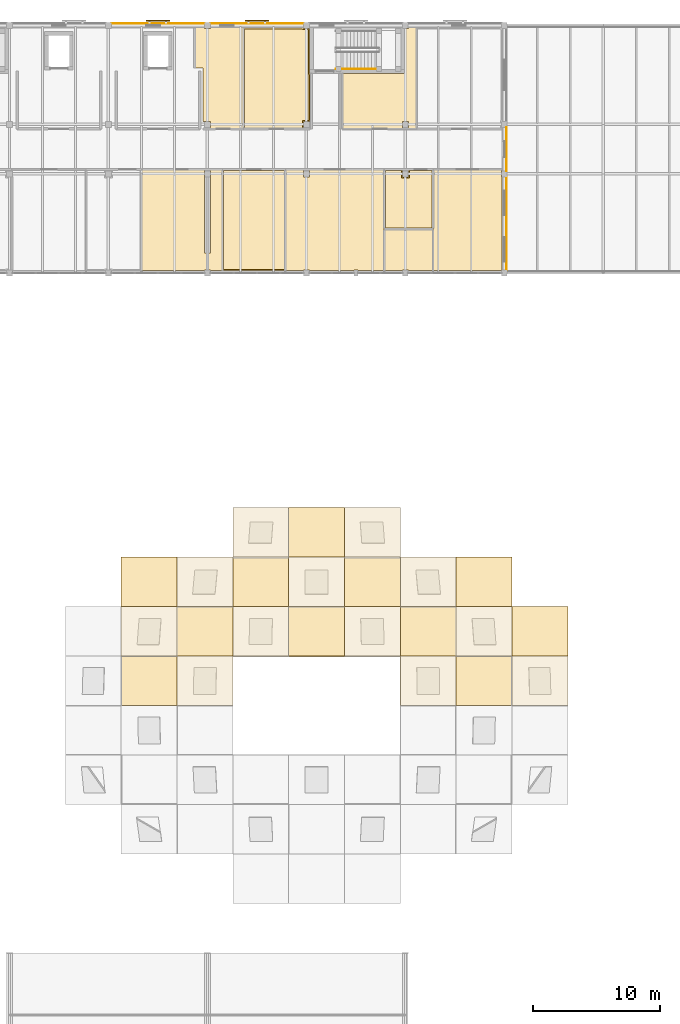
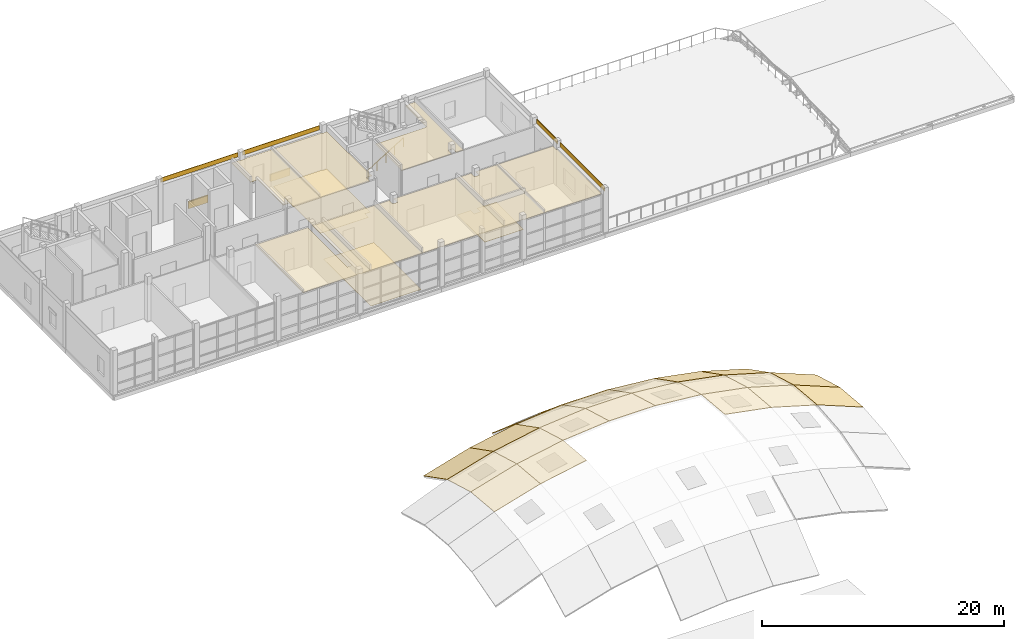
# One storey, part 43 of 45: 38 coverings, 2 shading devices, 1 railing.
"""IFC4 building model written with IfcOpenShell, lengths in metres."""

from ifc_helpers import new_model, si_unit, direction, frame, origin, origin_2d, place, context, subcontext, project, spatial, polyline, rectangle, circle, outline, extrude, material, layer, layer_set, type_object, element, save


model = new_model("IFC4")

# Units and contexts
model_context = context("Model", 3, precision=1e-05, world=origin(), true_north=direction((0.0, 1.0)))
body_context = subcontext(model_context, "Body", "Model", "MODEL_VIEW")
ifc_project = project(units=[si_unit("LENGTHUNIT", "METRE"), si_unit("AREAUNIT", "SQUARE_METRE"), si_unit("VOLUMEUNIT", "CUBIC_METRE"), si_unit("PLANEANGLEUNIT", "RADIAN"), si_unit("MASSUNIT", "GRAM", prefix="KILO")], contexts=[model_context])

# Site, building, storey
site_placement = place(None, origin())
site = spatial("IfcSite", under=ifc_project, at=site_placement, CompositionType="ELEMENT")
building_placement = place(site_placement, origin())
building = spatial("IfcBuilding", under=site, at=building_placement, Name="Celorna Specialist Clinic", CompositionType="ELEMENT")
storey_placement = place(building_placement, frame((0.0, 0.0, 18.60009765625)))
storey = spatial("IfcBuildingStorey", under=building, at=storey_placement, Name="L04", CompositionType="ELEMENT", Elevation=18.60009765625)

# Coverings
ifc_material_1 = material(Name="Hygienic acoustic mineral-fibre ceiling")
ifc_layer_1 = layer(ifc_material_1, 0.030029296875, Name="Hygienic acoustic mineral-fibre ceiling")
ifc_layer_set_1 = layer_set([ifc_layer_1], Name="Hygienic acoustic mineral-fibre ceiling")
covering_type_1 = type_object("IfcCoveringType", Name="CE-01", PredefinedType="CEILING", material=ifc_layer_set_1)
covering_1_placement = place(storey_placement, frame((0.0, 0.0, 3.669921875)))
element("IfcCovering", 1, at=covering_1_placement, inside=storey, type_object=covering_type_1, Name="Acoustic ceiling L04-011", PredefinedType="CEILING", context=body_context, shape_type="SweptSolid", body=[
    extrude(outline(polyline([(69.97998046875, 104.6650390625), (69.97998046875, 104.530029296875), (69.969970703125, 104.530029296875), (69.969970703125, 104.235107421875), (69.965087890625, 104.235107421875), (69.965087890625, 98.06494140625), (70.43505859375, 98.06494140625), (70.43505859375, 104.235107421875), (70.429931640625, 104.235107421875), (70.429931640625, 104.530029296875), (70.419921875, 104.530029296875), (70.419921875, 104.6650390625), (71.405029296875, 104.6650390625), (71.405029296875, 96.675048828125), (70.429931640625, 96.675048828125), (70.429931640625, 96.72998046875), (69.969970703125, 96.72998046875), (69.969970703125, 96.675048828125), (64.97509765625, 96.675048828125), (64.97509765625, 104.6650390625), (69.97998046875, 104.6650390625)])), origin(), (0.0, 0.0, 1.0), 0.030029296875),
])
covering_2_placement = place(storey_placement, frame((0.0, 0.0, 3.669921875)))
element("IfcCovering", 2, at=covering_2_placement, inside=storey, type_object=covering_type_1, Name="Acoustic ceiling L04-012", PredefinedType="CEILING", context=body_context, shape_type="SweptSolid", body=[
    extrude(outline(polyline([(76.35498046875, 104.6650390625), (76.35498046875, 96.675048828125), (71.375, 96.675048828125), (71.375, 104.6650390625), (76.35498046875, 104.6650390625)])), origin(), (0.0, 0.0, 1.0), 0.030029296875),
])
covering_3_placement = place(storey_placement, frame((0.0, 0.0, 3.669921875)))
element("IfcCovering", 3, at=covering_3_placement, inside=storey, type_object=covering_type_1, Name="Acoustic ceiling L04-013", PredefinedType="CEILING", context=body_context, shape_type="SweptSolid", body=[
    extrude(outline(polyline([(77.780029296875, 104.6650390625), (77.780029296875, 104.530029296875), (77.77001953125, 104.530029296875), (77.77001953125, 104.070068359375), (78.22998046875, 104.070068359375), (78.22998046875, 104.530029296875), (78.219970703125, 104.530029296875), (78.219970703125, 104.6650390625), (84.155029296875, 104.6650390625), (84.155029296875, 96.675048828125), (82.054931640625, 96.675048828125), (82.054931640625, 96.7451171875), (81.7451171875, 96.7451171875), (81.7451171875, 96.675048828125), (78.22998046875, 96.675048828125), (78.22998046875, 96.72998046875), (77.77001953125, 96.72998046875), (77.77001953125, 96.675048828125), (76.324951171875, 96.675048828125), (76.324951171875, 104.6650390625), (77.780029296875, 104.6650390625)])), origin(), (0.0, 0.0, 1.0), 0.030029296875),
])
covering_4_placement = place(storey_placement, frame((0.0, 0.0, 3.669921875)))
element("IfcCovering", 4, at=covering_4_placement, inside=storey, type_object=covering_type_1, Name="Acoustic ceiling L04-014", PredefinedType="CEILING", context=body_context, shape_type="SweptSolid", body=[
    extrude(outline(polyline([(85.580078125, 104.6650390625), (85.580078125, 104.530029296875), (85.570068359375, 104.530029296875), (85.570068359375, 104.070068359375), (86.030029296875, 104.070068359375), (86.030029296875, 104.530029296875), (86.02001953125, 104.530029296875), (86.02001953125, 104.6650390625), (88.0048828125, 104.6650390625), (88.0048828125, 99.93505859375), (84.125, 99.93505859375), (84.125, 104.6650390625), (85.580078125, 104.6650390625)])), origin(), (0.0, 0.0, 1.0), 0.030029296875),
])
covering_5_placement = place(storey_placement, frame((0.0, 0.0, 3.669921875)))
element("IfcCovering", 5, at=covering_5_placement, inside=storey, type_object=covering_type_1, Name="Acoustic ceiling L04-015", PredefinedType="CEILING", context=body_context, shape_type="SweptSolid", body=[
    extrude(outline(polyline([(84.125, 96.675048828125), (84.125, 99.965087890625), (87.97509765625, 99.965087890625), (87.97509765625, 104.6650390625), (93.3798828125, 104.6650390625), (93.3798828125, 104.530029296875), (93.3701171875, 104.530029296875), (93.3701171875, 104.070068359375), (93.425048828125, 104.070068359375), (93.425048828125, 96.72998046875), (93.3701171875, 96.72998046875), (93.3701171875, 96.675048828125), (86.030029296875, 96.675048828125), (86.030029296875, 96.72998046875), (85.570068359375, 96.72998046875), (85.570068359375, 96.675048828125), (84.125, 96.675048828125)])), origin(), (0.0, 0.0, 1.0), 0.030029296875),
])
covering_6_placement = place(storey_placement, frame((0.0, 0.0, 3.669921875)))
element("IfcCovering", 6, at=covering_6_placement, inside=storey, type_object=covering_type_1, Name="Acoustic ceiling L04-017", PredefinedType="CEILING", context=body_context, shape_type="SweptSolid", body=[
    extrude(outline(polyline([(73.054931640625, 115.824951171875), (73.054931640625, 107.8349609375), (70.419921875, 107.8349609375), (70.419921875, 107.969970703125), (70.429931640625, 107.969970703125), (70.429931640625, 108.429931640625), (69.969970703125, 108.429931640625), (69.969970703125, 108.419921875), (69.8349609375, 108.419921875), (69.8349609375, 112.635009765625), (69.175048828125, 112.635009765625), (69.175048828125, 115.824951171875), (69.969970703125, 115.824951171875), (69.969970703125, 115.77001953125), (70.429931640625, 115.77001953125), (70.429931640625, 115.824951171875), (73.054931640625, 115.824951171875)])), origin(), (0.0, 0.0, 1.0), 0.030029296875),
])
covering_7_placement = place(storey_placement, frame((0.0, 0.0, 3.669921875)))
element("IfcCovering", 7, at=covering_7_placement, inside=storey, type_object=covering_type_1, Name="Acoustic ceiling L04-018", PredefinedType="CEILING", context=body_context, shape_type="SweptSolid", body=[
    extrude(outline(polyline([(77.77001953125, 115.824951171875), (77.77001953125, 115.77001953125), (78.22998046875, 115.77001953125), (78.22998046875, 115.780029296875), (78.2548828125, 115.780029296875), (78.2548828125, 112.235107421875), (78.284912109375, 112.235107421875), (78.284912109375, 108.419921875), (78.22998046875, 108.419921875), (78.22998046875, 108.429931640625), (77.77001953125, 108.429931640625), (77.77001953125, 107.969970703125), (77.780029296875, 107.969970703125), (77.780029296875, 107.8349609375), (73.02490234375, 107.8349609375), (73.02490234375, 115.824951171875), (77.77001953125, 115.824951171875)])), origin(), (0.0, 0.0, 1.0), 0.030029296875),
])
covering_8_placement = place(storey_placement, frame((0.0, 0.0, 3.669921875)))
element("IfcCovering", 8, at=covering_8_placement, inside=storey, type_object=covering_type_1, Name="Acoustic ceiling L04-019", PredefinedType="CEILING", context=body_context, shape_type="SweptSolid", body=[
    extrude(outline(polyline([(80.824951171875, 107.8349609375), (80.824951171875, 112.235107421875), (85.72509765625, 112.235107421875), (85.72509765625, 115.77001953125), (86.030029296875, 115.77001953125), (86.030029296875, 115.824951171875), (86.705078125, 115.824951171875), (86.705078125, 107.8349609375), (86.02001953125, 107.8349609375), (86.02001953125, 107.969970703125), (86.030029296875, 107.969970703125), (86.030029296875, 108.429931640625), (85.570068359375, 108.429931640625), (85.570068359375, 107.969970703125), (85.580078125, 107.969970703125), (85.580078125, 107.8349609375), (80.824951171875, 107.8349609375)])), origin(), (0.0, 0.0, 1.0), 0.030029296875),
])
ifc_material_2 = material(Name="Pero Pinheiro Lioz limestone rainscreen cladding", Category="masonry")
ifc_layer_2 = layer(ifc_material_2, 0.044921875, Name="Pero Pinheiro Lioz limestone rainscreen cladding")
ifc_layer_set_2 = layer_set([ifc_layer_2], Name="Pero Pinheiro Lioz limestone rainscreen cladding")
covering_type_2 = type_object("IfcCoveringType", Name="CL-01", PredefinedType="CLADDING", material=ifc_layer_set_2)
for number, where, z_axis, x_axis, name in (
    (9, (66.300048828125, 116.16748046875, 3.81982421875), (0.0, 0.0, 1.0), (1.0, 0.0, 0.0), "Lioz spandrel cladding #276"),
    (10, (74.10009765625, 116.16748046875, 3.81982421875), (0.0, 0.0, 1.0), (1.0, 0.0, 0.0), "Lioz spandrel cladding #277"),
    (11, (93.767578125, 100.39990234375, 3.81982421875), (0.0, 0.0, 1.0), (0.0, -1.0, 0.0), "Lioz spandrel cladding #283"),
):
    element("IfcCovering", number, at=place(storey_placement, frame(where, z_axis=z_axis, x_axis=x_axis)), inside=storey, type_object=covering_type_2, Name=name, PredefinedType="CLADDING", context=body_context, shape_type="SweptSolid", body=[
        extrude(rectangle(XDim=7.35009765625, YDim=0.044921875, at=origin_2d()), origin(), (0.0, 0.0, 1.0), 0.43994140625),
    ])
covering_9_placement = place(storey_placement, frame((93.767578125, 106.25, 3.81982421875), z_axis=(0.0, 0.0, 1.0), x_axis=(0.0, -1.0, 0.0)))
element("IfcCovering", 12, at=covering_9_placement, inside=storey, type_object=covering_type_2, Name="Lioz spandrel cladding #284", PredefinedType="CLADDING", context=body_context, shape_type="SweptSolid", body=[
    extrude(rectangle(XDim=3.449951171875, YDim=0.044921875, at=origin_2d()), origin(), (0.0, 0.0, 1.0), 0.43994140625),
])
ifc_material_3 = material(Name="Seamless antimicrobial clinical vinyl and Lioz terrazzo flooring")
ifc_layer_3 = layer(ifc_material_3, 0.02001953125, Name="Seamless antimicrobial clinical vinyl and Lioz terrazzo flooring")
ifc_layer_set_3 = layer_set([ifc_layer_3], Name="Seamless antimicrobial clinical vinyl and Lioz terrazzo flooring")
covering_type_3 = type_object("IfcCoveringType", Name="FL-01", PredefinedType="FLOORING", material=ifc_layer_set_3)
covering_10_placement = place(storey_placement, origin())
element("IfcCovering", 13, at=covering_10_placement, inside=storey, type_object=covering_type_3, Name="Antimicrobial clinical flooring L04-012", PredefinedType="FLOORING", context=body_context, shape_type="SweptSolid", body=[
    extrude(outline(polyline([(71.465087890625, 104.574951171875), (76.264892578125, 104.574951171875), (76.264892578125, 96.764892578125), (71.465087890625, 96.764892578125), (71.465087890625, 104.574951171875)])), origin(), (0.0, 0.0, 1.0), 0.02001953125),
])
covering_11_placement = place(storey_placement, origin())
element("IfcCovering", 14, at=covering_11_placement, inside=storey, type_object=covering_type_3, Name="Antimicrobial clinical flooring L04-014", PredefinedType="FLOORING", context=body_context, shape_type="SweptSolid", body=[
    extrude(outline(polyline([(84.215087890625, 104.574951171875), (85.489990234375, 104.574951171875), (85.489990234375, 103.989990234375), (86.110107421875, 103.989990234375), (86.110107421875, 104.574951171875), (87.9150390625, 104.574951171875), (87.9150390625, 100.02490234375), (84.215087890625, 100.02490234375), (84.215087890625, 104.574951171875)])), origin(), (0.0, 0.0, 1.0), 0.02001953125),
])
covering_12_placement = place(storey_placement, origin())
element("IfcCovering", 15, at=covering_12_placement, inside=storey, type_object=covering_type_3, Name="Antimicrobial clinical flooring L04-018", PredefinedType="FLOORING", context=body_context, shape_type="SweptSolid", body=[
    extrude(outline(polyline([(73.114990234375, 115.735107421875), (77.68994140625, 115.735107421875), (77.68994140625, 115.68994140625), (78.1650390625, 115.68994140625), (78.1650390625, 112.14501953125), (78.195068359375, 112.14501953125), (78.195068359375, 108.510009765625), (77.68994140625, 108.510009765625), (77.68994140625, 107.925048828125), (73.114990234375, 107.925048828125), (73.114990234375, 115.735107421875)])), origin(), (0.0, 0.0, 1.0), 0.02001953125),
])

# Railing
ifc_material_4 = material(Name="Brushed stainless steel handrail", Category="steel")
railing_type = type_object("IfcRailingType", Name="HR-01", PredefinedType="HANDRAIL", material=ifc_material_4)
railing_placement = place(storey_placement, frame((80.340087890625, 112.570068359375, 0.173095703125)))
element("IfcRailing", 16, at=railing_placement, inside=storey, type_object=railing_type, Name="L04 ST-02 stair handrail 1", PredefinedType="HANDRAIL", context=body_context, shape_type="SweptSolid", body=[
    extrude(circle(Radius=0.02392578125, at=origin_2d()), frame((0.0, 0.0, 0.8759765625), z_axis=(0.850606129759, 0.0, 0.525803396734), x_axis=(0.0, 1.0, 0.0)), (0.0, 0.0, 1.0), 3.949951171875),
    extrude(circle(Radius=0.02099609375, at=origin_2d()), origin(), (0.0, 0.0, 1.0), 0.851806640625),
    extrude(circle(Radius=0.02099609375, at=origin_2d()), frame((0.83984375, 0.0, 0.519287109375)), (0.0, 0.0, 1.0), 0.851806640625),
    extrude(circle(Radius=0.02099609375, at=origin_2d()), frame((1.679931640625, 0.0, 1.03857421875)), (0.0, 0.0, 1.0), 0.851806640625),
    extrude(circle(Radius=0.02099609375, at=origin_2d()), frame((2.52001953125, 0.0, 1.5576171875)), (0.0, 0.0, 1.0), 0.851806640625),
    extrude(circle(Radius=0.02099609375, at=origin_2d()), frame((3.35986328125, 0.0, 2.076904296875)), (0.0, 0.0, 1.0), 0.851806640625),
])

# Coverings
ifc_material_5 = material(Name="Standing-seam zinc and EPDM acoustic roofing membrane")
ifc_layer_4 = layer(ifc_material_5, 0.0400390625, Name="Standing-seam zinc and EPDM acoustic roofing membrane")
ifc_layer_set_4 = layer_set([ifc_layer_4], Name="Standing-seam zinc and EPDM acoustic roofing membrane")
covering_type_4 = type_object("IfcCoveringType", Name="RFG-01", PredefinedType="ROOFING", material=ifc_layer_set_4)
covering_13_placement = place(storey_placement, frame((63.39990234375, 62.39990234375, 2.940185546875), z_axis=(-0.27962614269, 0.087442222498, 0.956118757294), x_axis=(0.959795163548, 0.0, 0.280701343121)))
element("IfcCovering", 17, at=covering_13_placement, inside=storey, type_object=covering_type_4, Name="GSH-V1 gridshell standing-seam roofing 3-5", PredefinedType="ROOFING", context=body_context, shape_type="SweptSolid", body=[
    extrude(outline(polyline([(0.0, 0.0), (4.584464114310494, -1.3877787807814457e-17), (4.484340905741365, 3.915143076396967), (-0.10012320856912833, 3.915143076396967), (0.0, 0.0)])), origin(), (0.0, 0.0, -1.0), 0.0400390625),
])
covering_14_placement = place(storey_placement, frame((63.39990234375, 66.300048828125, 2.58349609375), z_axis=(-0.270788911902, 0.263090279222, 0.92598967066), x_axis=(0.959801840488, -6.486829e-06, 0.280678511742)))
element("IfcCovering", 18, at=covering_14_placement, inside=storey, type_object=covering_type_4, Name="GSH-V1 gridshell standing-seam roofing 3-6", PredefinedType="ROOFING", context=body_context, shape_type="SweptSolid", body=[
    extrude(outline(polyline([(0.0, 0.0), (4.584464112916971, 5.551115123125783e-17), (4.273403716091822, 4.042336657580507), (-0.3109918717978682, 4.042275008953151), (0.0, 0.0)])), origin(), (0.0, 0.0, -1.0), 0.0400390625),
])
covering_15_placement = place(storey_placement, frame((63.39990234375, 70.199951171875, 1.4755859375), z_axis=(-0.251864517352, 0.441166030101, 0.861357532494), x_axis=(0.959809509952, 0.0, 0.280652284162)))
element("IfcCovering", 19, at=covering_15_placement, inside=storey, type_object=covering_type_4, Name="GSH-V1 gridshell standing-seam roofing 3-7", PredefinedType="ROOFING", context=body_context, shape_type="SweptSolid", body=[
    extrude(outline(polyline([(0.0, 0.0), (4.584395589697743, -1.1102230246251565e-16), (4.023776207614752, 4.345927846096854), (-0.5606193820829908, 4.3459278460968545), (0.0, 0.0)])), origin(), (0.0, 0.0, -1.0), 0.0400390625),
])
covering_16_placement = place(storey_placement, frame((67.800048828125, 62.39990234375, 4.22705078125), z_axis=(-0.186321606588, 0.089480473918, 0.978405592638), x_axis=(0.982346199134, 0.0, 0.187072031707)))
element("IfcCovering", 20, at=covering_16_placement, inside=storey, type_object=covering_type_4, Name="GSH-V1 gridshell standing-seam roofing 4-5", PredefinedType="ROOFING", context=body_context, shape_type="SweptSolid", body=[
    extrude(outline(polyline([(0.0, 0.0), (4.478973245510586, 0.0), (4.412246624825951, 3.9158546351524968), (-0.06672662068463522, 3.9158546351524968), (0.0, 0.0)])), origin(), (0.0, 0.0, -1.0), 0.0400390625),
])
covering_17_placement = place(storey_placement, frame((67.800048828125, 66.300048828125, 3.870361328125), z_axis=(-0.180210975206, 0.268826659832, 0.946179809222), x_axis=(0.982341552313, 6.932304e-06, 0.187096431158)))
element("IfcCovering", 21, at=covering_17_placement, inside=storey, type_object=covering_type_4, Name="GSH-V1 gridshell standing-seam roofing 4-6", PredefinedType="ROOFING", context=body_context, shape_type="SweptSolid", body=[
    extrude(outline(polyline([(0.0, 0.0), (4.478973244021366, -2.7755575615628914e-17), (4.271714243052131, 4.048919225952219), (-0.20730467880887332, 4.048983698815403), (0.0, 0.0)])), origin(), (0.0, 0.0, -1.0), 0.0400390625),
])
covering_18_placement = place(storey_placement, frame((67.800048828125, 70.199951171875, 2.76220703125), z_axis=(-0.167159665303, 0.449447825064, 0.87752737783), x_axis=(0.982336180889, 0.0, 0.187124631506)))
element("IfcCovering", 22, at=covering_18_placement, inside=storey, type_object=covering_type_4, Name="GSH-V1 gridshell standing-seam roofing 4-7", PredefinedType="ROOFING", context=body_context, shape_type="SweptSolid", body=[
    extrude(outline(polyline([(0.0, 0.0), (4.479018923814234, 0.0), (4.105226508048076, 4.365966349499598), (-0.37379241576615824, 4.365966349499598), (0.0, 0.0)])), origin(), (0.0, 0.0, -1.0), 0.0400390625),
])
covering_19_placement = place(storey_placement, frame((72.199951171875, 66.300048828125, 4.708251953125), z_axis=(-0.090018986099, 0.272191562405, 0.958023139333), x_axis=(0.995614280317, -7.202506e-06, 0.093553218958)))
element("IfcCovering", 23, at=covering_19_placement, inside=storey, type_object=covering_type_4, Name="GSH-V1 gridshell standing-seam roofing 5-6", PredefinedType="ROOFING", context=body_context, shape_type="SweptSolid", body=[
    extrude(outline(polyline([(0.0, 0.0), (4.419539874771574, 2.7755575615628914e-17), (4.315840384124527, 4.05296072500492), (-0.10367665050569924, 4.052894563589355), (0.0, 0.0)])), origin(), (0.0, 0.0, -1.0), 0.0400390625),
])
covering_20_placement = place(storey_placement, frame((72.199951171875, 70.199951171875, 3.600341796875), z_axis=(-0.083316673046, 0.454276899023, 0.886955935211), x_axis=(0.995617043189, 0.0, 0.09352381147)))
element("IfcCovering", 24, at=covering_20_placement, inside=storey, type_object=covering_type_4, Name="GSH-V1 gridshell standing-seam roofing 5-7", PredefinedType="ROOFING", context=body_context, shape_type="SweptSolid", body=[
    extrude(outline(polyline([(0.0, 0.0), (4.419517036672728, 0.0), (4.232697743351132, 4.377954029759788), (-0.1868192933215959, 4.377954029759788), (0.0, 0.0)])), origin(), (0.0, 0.0, -1.0), 0.0400390625),
])
covering_21_placement = place(storey_placement, frame((72.199951171875, 74.10009765625, 1.602783203125), z_axis=(-0.072061583941, 0.637693264778, 0.766912268892), x_axis=(0.995615516955, 1.3508053e-05, 0.093540056749)))
element("IfcCovering", 25, at=covering_21_placement, inside=storey, type_object=covering_type_4, Name="GSH-V1 gridshell standing-seam roofing 5-8", PredefinedType="ROOFING", context=body_context, shape_type="SweptSolid", body=[
    extrude(outline(polyline([(0.0, 0.0), (4.419517035681197, -5.551115123125783e-17), (4.116249639173167, 5.0628266206283525), (-0.30329023343594746, 5.062981625091947), (0.0, 0.0)])), origin(), (0.0, 0.0, -1.0), 0.0400390625),
])
covering_22_placement = place(storey_placement, frame((76.60009765625, 66.300048828125, 5.121826171875), z_axis=(0.0, 0.273329011448, 0.961920605612), x_axis=(1.0, 0.0, 0.0)))
element("IfcCovering", 26, at=covering_22_placement, inside=storey, type_object=covering_type_4, Name="GSH-V1 gridshell standing-seam roofing 6-6", PredefinedType="ROOFING", context=body_context, shape_type="SweptSolid", body=[
    extrude(outline(polyline([(0.0, 0.0), (4.39990234375, 0.0), (4.39990234375, 4.054287142824157), (0.0, 4.054287142824157), (0.0, 0.0)])), origin(), (0.0, 0.0, -1.0), 0.0400390625),
])
covering_23_placement = place(storey_placement, frame((76.60009765625, 70.199951171875, 4.013671875), z_axis=(0.0, 0.455861875306, 0.890050532634), x_axis=(1.0, 0.0, 0.0)))
element("IfcCovering", 27, at=covering_23_placement, inside=storey, type_object=covering_type_4, Name="GSH-V1 gridshell standing-seam roofing 6-7", PredefinedType="ROOFING", context=body_context, shape_type="SweptSolid", body=[
    extrude(outline(polyline([(0.0, 0.0), (4.39990234375, 0.0), (4.39990234375, 4.381938262350024), (0.0, 4.381938262350024), (0.0, 0.0)])), origin(), (0.0, 0.0, -1.0), 0.0400390625),
])
covering_24_placement = place(storey_placement, frame((76.60009765625, 74.10009765625, 2.01611328125), z_axis=(0.0, 0.639341241338, 0.768923128228), x_axis=(1.0, 0.0, 0.0)))
element("IfcCovering", 28, at=covering_24_placement, inside=storey, type_object=covering_type_4, Name="GSH-V1 gridshell standing-seam roofing 6-8", PredefinedType="ROOFING", context=body_context, shape_type="SweptSolid", body=[
    extrude(outline(polyline([(0.0, 0.0), (4.39990234375, 0.0), (4.39990234375, 5.07190146918215), (0.0, 5.07190146918215), (0.0, 0.0)])), origin(), (0.0, 0.0, -1.0), 0.0400390625),
])
covering_25_placement = place(storey_placement, frame((81.0, 66.300048828125, 5.121826171875), z_axis=(0.090023940569, 0.272191440014, 0.958022708555), x_axis=(0.995613796794, 7.202896e-06, -0.093558364576)))
element("IfcCovering", 29, at=covering_25_placement, inside=storey, type_object=covering_type_4, Name="GSH-V1 gridshell standing-seam roofing 7-6", PredefinedType="ROOFING", context=body_context, shape_type="SweptSolid", body=[
    extrude(outline(polyline([(0.0, 0.0), (4.419296805519519, 0.0), (4.522979158426978, 4.05289441771283), (0.1037051943050608, 4.052960579066495), (0.0, 0.0)])), origin(), (0.0, 0.0, -1.0), 0.0400390625),
])
covering_26_placement = place(storey_placement, frame((81.0, 70.199951171875, 4.013671875), z_axis=(0.083321264006, 0.454276724041, 0.886955593566), x_axis=(0.995616559968, 0.0, -0.0935289555)))
element("IfcCovering", 30, at=covering_26_placement, inside=storey, type_object=covering_type_4, Name="GSH-V1 gridshell standing-seam roofing 7-7", PredefinedType="ROOFING", context=body_context, shape_type="SweptSolid", body=[
    extrude(outline(polyline([(0.0, 0.0), (4.419273966164528, 0.0), (4.6061035349885975, 4.377953591263864), (0.18682956882406912, 4.377953591263863), (0.0, 0.0)])), origin(), (0.0, 0.0, -1.0), 0.0400390625),
])
covering_27_placement = place(storey_placement, frame((81.0, 74.10009765625, 2.01611328125), z_axis=(0.07206556171, 0.637693081027, 0.766912047907), x_axis=(0.995615033566, -1.3508788e-05, -0.093545201664)))
element("IfcCovering", 31, at=covering_27_placement, inside=storey, type_object=covering_type_4, Name="GSH-V1 gridshell standing-seam roofing 7-8", PredefinedType="ROOFING", context=body_context, shape_type="SweptSolid", body=[
    extrude(outline(polyline([(0.0, 0.0), (4.419273965172943, 0.0), (4.722580880288226, 5.0629806257736725), (0.3032840769312835, 5.062825621429974), (0.0, 0.0)])), origin(), (0.0, 0.0, -1.0), 0.0400390625),
])
covering_28_placement = place(storey_placement, frame((85.39990234375, 62.39990234375, 5.06494140625), z_axis=(0.18631162746, 0.08948064627, 0.978407477187), x_axis=(0.982348106546, 0.0, -0.187062015295)))
element("IfcCovering", 32, at=covering_28_placement, inside=storey, type_object=covering_type_4, Name="GSH-V1 gridshell standing-seam roofing 8-5", PredefinedType="ROOFING", context=body_context, shape_type="SweptSolid", body=[
    extrude(outline(polyline([(0.0, 0.0), (4.479213076358454, 0.0), (4.545936124294541, 3.91585469603092), (0.06672304793608737, 3.91585469603092), (0.0, 0.0)])), origin(), (0.0, 0.0, -1.0), 0.0400390625),
])
covering_29_placement = place(storey_placement, frame((85.39990234375, 66.300048828125, 4.708251953125), z_axis=(0.180201300961, 0.268827144224, 0.946181514119), x_axis=(0.982343460214, -6.931958e-06, -0.187086413527)))
element("IfcCovering", 33, at=covering_29_placement, inside=storey, type_object=covering_type_4, Name="GSH-V1 gridshell standing-seam roofing 8-6", PredefinedType="ROOFING", context=body_context, shape_type="SweptSolid", body=[
    extrude(outline(polyline([(0.0, 0.0), (4.479213074869308, 0.0), (4.686506653947934, 4.048984267097323), (0.2072479036846981, 4.048919793992781), (0.0, 0.0)])), origin(), (0.0, 0.0, -1.0), 0.0400390625),
])
covering_30_placement = place(storey_placement, frame((85.39990234375, 70.199951171875, 3.600341796875), z_axis=(0.167150649645, 0.449448521858, 0.877528738289), x_axis=(0.982338089354, 0.0, -0.187114612481)))
element("IfcCovering", 34, at=covering_30_placement, inside=storey, type_object=covering_type_4, Name="GSH-V1 gridshell standing-seam roofing 8-7", PredefinedType="ROOFING", context=body_context, shape_type="SweptSolid", body=[
    extrude(outline(polyline([(0.0, 0.0), (4.47925875221637, 5.551115123125783e-17), (4.853031154394842, 4.365968062917649), (0.3737724021784728, 4.3659680629176485), (0.0, 0.0)])), origin(), (0.0, 0.0, -1.0), 0.0400390625),
])
covering_31_placement = place(storey_placement, frame((89.800048828125, 62.39990234375, 4.22705078125), z_axis=(0.279640445224, 0.087441843111, 0.956114608961), x_axis=(0.959790967178, 0.0, -0.280715691266)))
element("IfcCovering", 35, at=covering_31_placement, inside=storey, type_object=covering_type_4, Name="GSH-V1 gridshell standing-seam roofing 9-5", PredefinedType="ROOFING", context=body_context, shape_type="SweptSolid", body=[
    extrude(outline(polyline([(0.0, 0.0), (4.584229789831632, -1.3877787807814457e-17), (4.684358116232925, 3.9151429455136584), (0.10012832640129328, 3.9151429455136584), (0.0, 0.0)])), origin(), (0.0, 0.0, -1.0), 0.0400390625),
])
covering_32_placement = place(storey_placement, frame((89.800048828125, 66.300048828125, 3.870361328125), z_axis=(0.270802835515, 0.263089208756, 0.925985902978), x_axis=(0.959797644776, 6.487107e-06, -0.280692858906)))
element("IfcCovering", 36, at=covering_32_placement, inside=storey, type_object=covering_type_4, Name="GSH-V1 gridshell standing-seam roofing 9-6", PredefinedType="ROOFING", context=body_context, shape_type="SweptSolid", body=[
    extrude(outline(polyline([(0.0, 0.0), (4.5842297884380505, -5.551115123125783e-17), (4.8952375566921535, 4.042273785930048), (0.31107629678410975, 4.042335434037032), (0.0, 0.0)])), origin(), (0.0, 0.0, -1.0), 0.0400390625),
])
covering_33_placement = place(storey_placement, frame((89.800048828125, 70.199951171875, 2.76220703125), z_axis=(0.251877606136, 0.441164477203, 0.861354500529), x_axis=(0.959805314986, 0.0, -0.280666630229)))
element("IfcCovering", 37, at=covering_33_placement, inside=storey, type_object=covering_type_4, Name="GSH-V1 gridshell standing-seam roofing 9-7", PredefinedType="ROOFING", context=body_context, shape_type="SweptSolid", body=[
    extrude(outline(polyline([(0.0, 0.0), (4.58416126171617, 0.0), (5.144809300908005, 4.345924149268773), (0.5606480391918346, 4.345924149268773), (0.0, 0.0)])), origin(), (0.0, 0.0, -1.0), 0.0400390625),
])
covering_34_placement = place(storey_placement, frame((94.199951171875, 62.39990234375, 2.940185546875), z_axis=(0.372903235701, 0.084477389666, 0.924016638075), x_axis=(0.927331416786, 2.00814e-06, -0.374241156793)))
element("IfcCovering", 38, at=covering_34_placement, inside=storey, type_object=covering_type_4, Name="GSH-V1 gridshell standing-seam roofing 10-5", PredefinedType="ROOFING", context=body_context, shape_type="SweptSolid", body=[
    extrude(outline(polyline([(0.0, 0.0), (4.745001049620395, 2.7755575615628914e-17), (4.878405387744575, 3.914128144329569), (0.13349570559410082, 3.91414726976624), (0.0, 0.0)])), origin(), (0.0, 0.0, -1.0), 0.0400390625),
])
covering_35_placement = place(storey_placement, frame((94.199951171875, 66.300048828125, 2.58349609375), z_axis=(0.36189099256, 0.254776914006, 0.89672940935), x_axis=(0.927332060033, -5.877648e-06, -0.374239562849)))
element("IfcCovering", 39, at=covering_35_placement, inside=storey, type_object=covering_type_4, Name="GSH-V1 gridshell standing-seam roofing 10-6", PredefinedType="ROOFING", context=body_context, shape_type="SweptSolid", body=[
    extrude(outline(polyline([(0.0, 0.0), (4.744909682267034, -5.551115123125783e-17), (5.159601939644256, 4.033023004665146), (0.41460089029644837, 4.03296532279806), (0.0, 0.0)])), origin(), (0.0, 0.0, -1.0), 0.0400390625),
])

# Shading devices
ifc_material_6 = material(Name="Perforated terracotta brick weave screen", Category="masonry")
ifc_layer_5 = layer(ifc_material_6, 0.114990234375, Name="Perforated terracotta brick weave screen")
ifc_layer_set_5 = layer_set([ifc_layer_5], Name="Perforated terracotta brick weave screen")
shading_device_type = type_object("IfcShadingDeviceType", Name="SCR-01", PredefinedType="USERDEFINED", material=ifc_layer_set_5)
for number, where, z_axis, x_axis, name in (
    (40, (66.300048828125, 116.375, 0.08984375), (0.0, 0.0, 1.0), (1.0, 0.0, 0.0), "Woven perforated terracotta brick screen #3"),
    (41, (74.10009765625, 116.375, 0.08984375), (0.0, 0.0, 1.0), (1.0, 0.0, 0.0), "Woven perforated terracotta brick screen #4"),
):
    element("IfcShadingDevice", number, at=place(storey_placement, frame(where, z_axis=z_axis, x_axis=x_axis)), inside=storey, type_object=shading_device_type, Name=name, ObjectType="SCREEN", PredefinedType="USERDEFINED", context=body_context, shape_type="SweptSolid", body=[
        extrude(rectangle(XDim=1.85009765625, YDim=0.114990234375, at=origin_2d()), origin(), (0.0, 0.0, 1.0), 0.719970703125),
    ])

save(model, "model.ifc")
